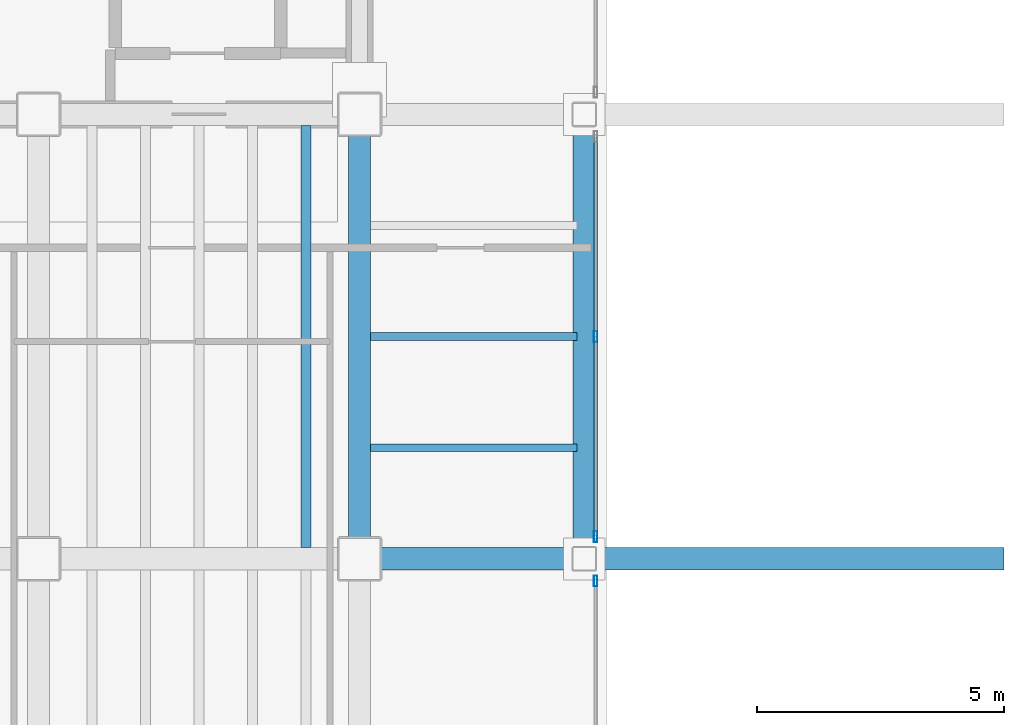
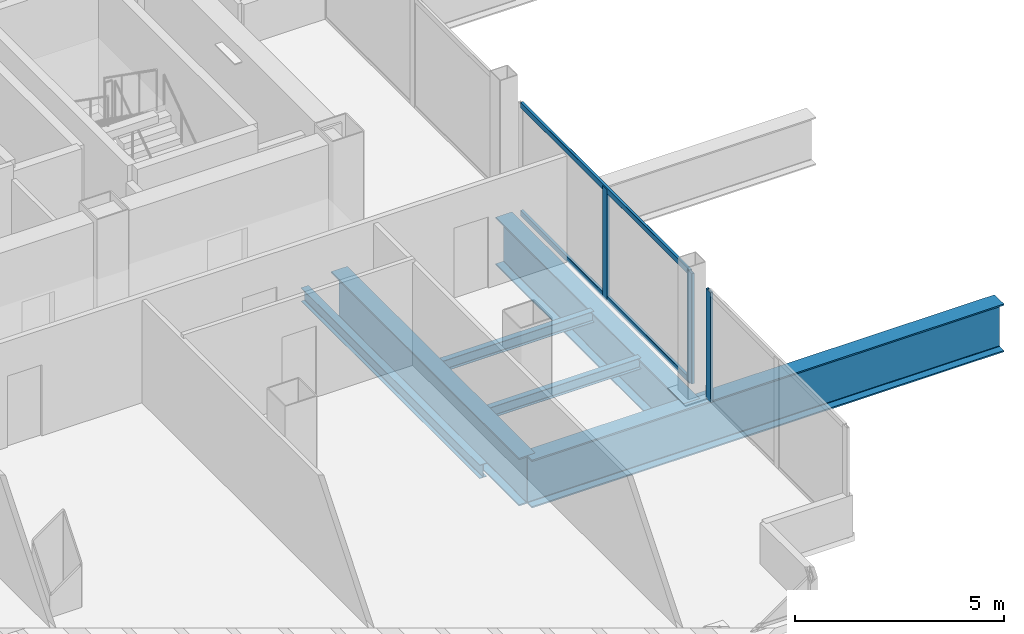
# One storey, part 17 of 24: 6 beams, 5 members, 2 elements without a shape of their own.
"""IFC4 building model written with IfcOpenShell, lengths in metres."""

from ifc_helpers import new_model, si_unit, direction, frame, origin, origin_2d, place, context, subcontext, project, spatial, hollow_rectangle, i_section, extrude, material, material_profile, profile_set, type_object, element, aggregate, save


model = new_model("IFC4")

# Units and contexts
model_context = context("Model", 3, precision=1e-05, world=origin(), true_north=direction((0.0, 1.0)))
body_context = subcontext(model_context, "Body", "Model", "MODEL_VIEW")
ifc_project = project(units=[si_unit("LENGTHUNIT", "METRE"), si_unit("AREAUNIT", "SQUARE_METRE"), si_unit("VOLUMEUNIT", "CUBIC_METRE"), si_unit("PLANEANGLEUNIT", "RADIAN"), si_unit("MASSUNIT", "GRAM", prefix="KILO")], contexts=[model_context])

# Site, building, storey
site_placement = place(None, origin())
site = spatial("IfcSite", under=ifc_project, at=site_placement, CompositionType="ELEMENT")
building_placement = place(site_placement, origin())
building = spatial("IfcBuilding", under=site, at=building_placement, Name="Noeulbin Bourse Tower", CompositionType="ELEMENT")
storey_placement = place(building_placement, frame((0.0, 0.0, 114.89990234375)))
storey = spatial("IfcBuildingStorey", under=building, at=storey_placement, Name="L28", CompositionType="ELEMENT", Elevation=114.89990234375)

# Beams
ifc_material_1 = material(Name="Steel S355", Category="steel")
ifc_material_profile_1 = material_profile(ifc_material_1, i_section(OverallWidth=0.159912109375, OverallDepth=0.320068359375, WebThickness=0.006591796875, FlangeThickness=0.010009765625, FilletRadius=0.012939453125, at=origin_2d()), Name="H-320x160x6.5x10", Category="LoadBearing")
ifc_profile_set_1 = profile_set([ifc_material_profile_1], Name="Steel S355")
beam_type_1 = type_object("IfcBeamType", Name="BM-JST-320", PredefinedType="JOIST", material=ifc_profile_set_1)
for number, where, z_axis, x_axis, name in (
    (1, (44.22509765625, 22.25, -0.39990234375), (1.0, 0.0, 0.0), (0.0, 1.0, 0.0), "Wing Composite Joist L28-E50"),
    (2, (44.22509765625, 24.5, -0.39990234375), (1.0, 0.0, 0.0), (0.0, 1.0, 0.0), "Wing Composite Joist L28-E51"),
):
    element("IfcBeam", number, at=place(storey_placement, frame(where, z_axis=z_axis, x_axis=x_axis)), inside=storey, type_object=beam_type_1, Name=name, PredefinedType="JOIST", context=body_context, shape_type="SweptSolid", body=[
        extrude(i_section(OverallWidth=0.159912109375, OverallDepth=0.320068359375, WebThickness=0.006591796875, FlangeThickness=0.010009765625, FilletRadius=0.012939453125, at=origin_2d()), origin(), (0.0, 0.0, 1.0), 4.1748046875),
    ])
ifc_material_profile_2 = material_profile(ifc_material_1, i_section(OverallWidth=0.199951171875, OverallDepth=0.39990234375, WebThickness=0.008056640625, FlangeThickness=0.012939453125, FilletRadius=0.01611328125, at=origin_2d()), Name="H-400x200x8x13", Category="LoadBearing")
ifc_profile_set_2 = profile_set([ifc_material_profile_2], Name="Steel S355")
beam_type_2 = type_object("IfcBeamType", Name="BM-SEC-400", PredefinedType="BEAM", material=ifc_profile_set_2)
beam_1_placement = place(storey_placement, frame((42.916748046875, 20.22509765625, -0.43994140625), z_axis=(0.0, 1.0, 0.0), x_axis=(-1.0, 0.0, 0.0)))
element("IfcBeam", 3, at=beam_1_placement, inside=storey, type_object=beam_type_2, Name="Tower Composite Joist L28-46", PredefinedType="BEAM", context=body_context, shape_type="SweptSolid", body=[
    extrude(i_section(OverallWidth=0.199951171875, OverallDepth=0.39990234375, WebThickness=0.008056640625, FlangeThickness=0.012939453125, FilletRadius=0.01611328125, at=origin_2d()), origin(), (0.0, 0.0, 1.0), 8.5498046875),
])
ifc_material_2 = material(Name="Steel S460", Category="steel")
ifc_material_profile_3 = material_profile(ifc_material_2, i_section(OverallWidth=0.449951171875, OverallDepth=1.39990234375, WebThickness=0.02392578125, FlangeThickness=0.0400390625, FilletRadius=0.02392578125, at=origin_2d()), Name="PG-1400x450x24x40", Category="LoadBearing")
ifc_profile_set_3 = profile_set([ifc_material_profile_3], Name="Steel S460")
beam_type_3 = type_object("IfcBeamType", Name="BM-TRF-1400", PredefinedType="USERDEFINED", material=ifc_profile_set_3)
beam_2_placement = place(storey_placement, frame((44.0, 20.0, -0.93994140625), z_axis=(1.0, 0.0, 0.0), x_axis=(0.0, 1.0, 0.0)))
element("IfcBeam", 4, at=beam_2_placement, inside=storey, type_object=beam_type_3, Name="Tower Primary Girder EW L28-1.8", ObjectType="GIRDER", PredefinedType="USERDEFINED", context=body_context, shape_type="SweptSolid", body=[
    extrude(i_section(OverallWidth=0.449951171875, OverallDepth=1.39990234375, WebThickness=0.02392578125, FlangeThickness=0.0400390625, FilletRadius=0.02392578125, at=origin_2d()), origin(), (0.0, 0.0, 1.0), 13.050048828125),
])
for number, where, z_axis, x_axis, name in (
    (5, (44.0, 20.0, -0.93994140625), (0.0, 1.0, 0.0), (-1.0, 0.0, 0.0), "Tower Primary Girder NS L28-5.2"),
    (6, (48.550048828125, 20.0, -0.93994140625), (0.0, 1.0, 0.0), (-1.0, 0.0, 0.0), "East Spandrel L28-1"),
):
    element("IfcBeam", number, at=place(storey_placement, frame(where, z_axis=z_axis, x_axis=x_axis)), inside=storey, type_object=beam_type_3, Name=name, ObjectType="GIRDER", PredefinedType="USERDEFINED", context=body_context, shape_type="SweptSolid", body=[
        extrude(i_section(OverallWidth=0.449951171875, OverallDepth=1.39990234375, WebThickness=0.02392578125, FlangeThickness=0.0400390625, FilletRadius=0.02392578125, at=origin_2d()), origin(), (0.0, 0.0, 1.0), 9.0),
    ])

# Curtain wall, member
ifc_material_3 = material(Name="Dark Tinted Triple Glazing", Category="glass")
curtain_wall_type = type_object("IfcCurtainWallType", Name="CW-SYS-3", PredefinedType="NOTDEFINED", material=ifc_material_3)
curtain_wall_1_placement = place(storey_placement, origin())
curtain_wall_1 = element("IfcCurtainWall", 7, at=curtain_wall_1_placement, inside=storey, type_object=curtain_wall_type, Name="Unitised Curtain Wall CW-L28-E-S1", PredefinedType="NOTDEFINED")
ifc_material_4 = material(Name="Anodised Aluminium 6063-T6", Category="aluminium")
ifc_material_profile_4 = material_profile(ifc_material_4, hollow_rectangle(XDim=0.074951171875, YDim=0.219970703125, WallThickness=0.0048828125, InnerFilletRadius=0.00244140625, OuterFilletRadius=0.0048828125, at=origin_2d()), Name="ALU-MULL-75x220x5", Category="LoadBearing")
ifc_profile_set_4 = profile_set([ifc_material_profile_4], Name="Anodised Aluminium 6063-T6")
member_type_1 = type_object("IfcMemberType", Name="CW-SYS-3-MUL", PredefinedType="MULLION", material=ifc_profile_set_4)
member_1_placement = place(storey_placement, frame((48.780029296875, 19.550048828125, -0.02001953125), z_axis=(0.0, 0.0, 1.0), x_axis=(1.0, 0.0, 0.0)))
member_1 = element("IfcMember", 8, at=member_1_placement, type_object=member_type_1, Name="Curtain Wall Mullion CW-L28-E-S1-M02", PredefinedType="MULLION", context=body_context, shape_type="SweptSolid", body=[
    extrude(hollow_rectangle(XDim=0.074951171875, YDim=0.219970703125, WallThickness=0.0048828125, InnerFilletRadius=0.00244140625, OuterFilletRadius=0.0048828125, at=origin_2d()), origin(), (0.0, 0.0, 1.0), 3.22021484375),
])
aggregate(curtain_wall_1, [member_1])

# Curtain wall, members
curtain_wall_2_placement = place(storey_placement, origin())
curtain_wall_2 = element("IfcCurtainWall", 9, at=curtain_wall_2_placement, inside=storey, type_object=curtain_wall_type, Name="Unitised Curtain Wall CW-L28-E-S2", PredefinedType="NOTDEFINED")
member_2_placement = place(storey_placement, frame((48.780029296875, 20.449951171875, -0.02001953125), z_axis=(0.0, 0.0, 1.0), x_axis=(1.0, 0.0, 0.0)))
member_2 = element("IfcMember", 10, at=member_2_placement, type_object=member_type_1, Name="Curtain Wall Mullion CW-L28-E-S2-M00", PredefinedType="MULLION", context=body_context, shape_type="SweptSolid", body=[
    extrude(hollow_rectangle(XDim=0.074951171875, YDim=0.219970703125, WallThickness=0.0048828125, InnerFilletRadius=0.00244140625, OuterFilletRadius=0.0048828125, at=origin_2d()), origin(), (0.0, 0.0, 1.0), 3.22021484375),
])
member_3_placement = place(storey_placement, frame((48.780029296875, 24.5, -0.02001953125), z_axis=(0.0, 0.0, 1.0), x_axis=(1.0, 0.0, 0.0)))
member_3 = element("IfcMember", 11, at=member_3_placement, type_object=member_type_1, Name="Curtain Wall Mullion CW-L28-E-S2-M01", PredefinedType="MULLION", context=body_context, shape_type="SweptSolid", body=[
    extrude(hollow_rectangle(XDim=0.074951171875, YDim=0.219970703125, WallThickness=0.0048828125, InnerFilletRadius=0.00244140625, OuterFilletRadius=0.0048828125, at=origin_2d()), origin(), (0.0, 0.0, 1.0), 3.22021484375),
])
ifc_material_profile_5 = material_profile(ifc_material_4, hollow_rectangle(XDim=0.074951171875, YDim=0.159912109375, WallThickness=0.0048828125, InnerFilletRadius=0.00244140625, OuterFilletRadius=0.0048828125, at=origin_2d()), Name="ALU-TRAN-75x160x5", Category="LoadBearing")
ifc_profile_set_5 = profile_set([ifc_material_profile_5], Name="Anodised Aluminium 6063-T6")
member_type_2 = type_object("IfcMemberType", Name="CW-SYS-3-TRN", PredefinedType="USERDEFINED", material=ifc_profile_set_5)
member_4_placement = place(storey_placement, frame((48.780029296875, 20.4599609375, 0.010009765625), z_axis=(0.0, 1.0, 0.0), x_axis=(-1.0, 0.0, 0.0)))
member_4 = element("IfcMember", 12, at=member_4_placement, type_object=member_type_2, Name="Curtain Wall Transom CW-L28-E-S2-T00", ObjectType="TRANSOM", PredefinedType="USERDEFINED", context=body_context, shape_type="SweptSolid", body=[
    extrude(hollow_rectangle(XDim=0.074951171875, YDim=0.159912109375, WallThickness=0.0048828125, InnerFilletRadius=0.00244140625, OuterFilletRadius=0.0048828125, at=origin_2d()), origin(), (0.0, 0.0, 1.0), 8.080078125),
])
member_5_placement = place(storey_placement, frame((48.780029296875, 20.4599609375, 3.170166015625), z_axis=(0.0, 1.0, 0.0), x_axis=(-1.0, 0.0, 0.0)))
member_5 = element("IfcMember", 13, at=member_5_placement, type_object=member_type_2, Name="Curtain Wall Transom CW-L28-E-S2-T01", ObjectType="TRANSOM", PredefinedType="USERDEFINED", context=body_context, shape_type="SweptSolid", body=[
    extrude(hollow_rectangle(XDim=0.074951171875, YDim=0.159912109375, WallThickness=0.0048828125, InnerFilletRadius=0.00244140625, OuterFilletRadius=0.0048828125, at=origin_2d()), origin(), (0.0, 0.0, 1.0), 8.080078125),
])
aggregate(curtain_wall_2, [member_2, member_3, member_4, member_5])

save(model, "model.ifc")
